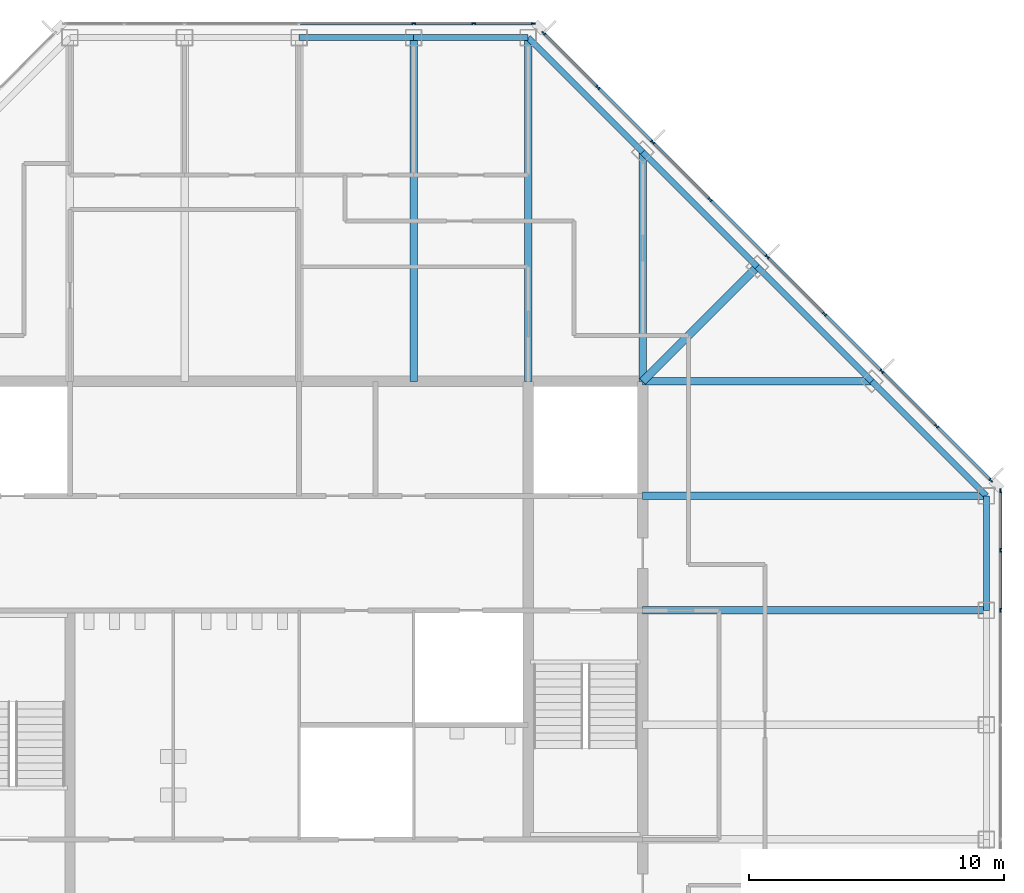
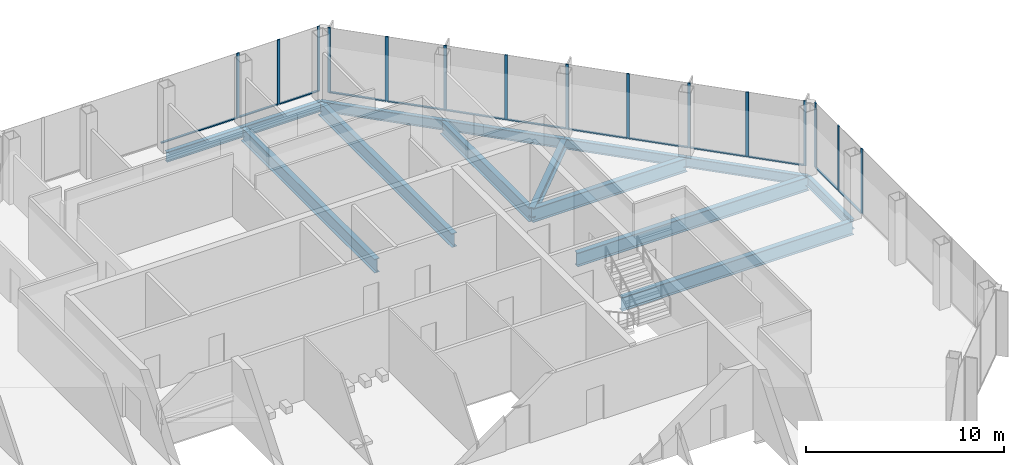
# One storey, part 7 of 14: 28 members, 14 beams, 3 elements without a shape of their own.
"""IFC4 building model written with IfcOpenShell, lengths in metres."""

from ifc_helpers import new_model, si_unit, direction, frame, origin, origin_2d, place, context, subcontext, project, spatial, rectangle, i_section, extrude, material, material_profile, profile_set, type_object, element, aggregate, save


model = new_model("IFC4")

# Units and contexts
model_context = context("Model", 3, precision=1e-05, world=origin(), true_north=direction((0.0, 1.0)))
body_context = subcontext(model_context, "Body", "Model", "MODEL_VIEW")
ifc_project = project(units=[si_unit("LENGTHUNIT", "METRE"), si_unit("AREAUNIT", "SQUARE_METRE"), si_unit("VOLUMEUNIT", "CUBIC_METRE"), si_unit("PLANEANGLEUNIT", "RADIAN"), si_unit("MASSUNIT", "GRAM", prefix="KILO")], contexts=[model_context])

# Site, building, storey
site_placement = place(None, origin())
site = spatial("IfcSite", under=ifc_project, at=site_placement, CompositionType="ELEMENT")
building_placement = place(site_placement, origin())
building = spatial("IfcBuilding", under=site, at=building_placement, Name="Corais Broadcast Tower", CompositionType="ELEMENT")
storey_placement = place(building_placement, frame((0.0, 0.0, 254.60009765625)))
storey = spatial("IfcBuildingStorey", under=building, at=storey_placement, Name="L59", CompositionType="ELEMENT", Elevation=254.60009765625)

# Beams
ifc_material_1 = material(Name="Steel ASTM A572 Grade 50", Category="steel")
ifc_material_profile_1 = material_profile(ifc_material_1, i_section(OverallWidth=0.323974609375, OverallDepth=0.611083984375, WebThickness=0.0126953125, FlangeThickness=0.01904296875, at=origin_2d()), Name="W610x155")
ifc_profile_set_1 = profile_set([ifc_material_profile_1], Name="Steel ASTM A572 Grade 50")
beam_type_1 = type_object("IfcBeamType", Name="Corner diagonal W610x155", PredefinedType="BEAM", material=ifc_profile_set_1)
beam_1_placement = place(storey_placement, frame((45.0, 45.0, -0.465576171875), z_axis=(-0.707106781187, -0.707106781187, 0.0), x_axis=(0.707106781187, -0.707106781187, 0.0)))
element("IfcBeam", 1, at=beam_1_placement, inside=storey, type_object=beam_type_1, Name="B6 L/13 to K/12", PredefinedType="BEAM", context=body_context, shape_type="SweptSolid", body=[
    extrude(i_section(OverallWidth=0.323974609375, OverallDepth=0.611083984375, WebThickness=0.0126953125, FlangeThickness=0.01904296875, at=origin_2d()), origin(), (0.0, 0.0, 1.0), 6.364013671875),
])
ifc_material_2 = material(Name="Steel ASTM A572 Grade 50", Category="steel")
ifc_material_profile_2 = material_profile(ifc_material_2, i_section(OverallWidth=0.2939453125, OverallDepth=0.85107421875, WebThickness=0.01611328125, FlangeThickness=0.02685546875, at=origin_2d()), Name="W840x226")
ifc_profile_set_2 = profile_set([ifc_material_profile_2], Name="Steel ASTM A572 Grade 50")
beam_type_2 = type_object("IfcBeamType", Name="Floor beam W840x226", PredefinedType="BEAM", material=ifc_profile_set_2)
for number, where, z_axis, x_axis, name in (
    (2, (31.5, 54.0, -0.585693359375), (0.0, -1.0, 0.0), (1.0, 0.0, 0.0), "B1 N/10 to K/10"),
    (3, (36.0, 54.0, -0.585693359375), (0.0, -1.0, 0.0), (1.0, 0.0, 0.0), "B1 N/11 to K/11"),
):
    element("IfcBeam", number, at=place(storey_placement, frame(where, z_axis=z_axis, x_axis=x_axis)), inside=storey, type_object=beam_type_2, Name=name, PredefinedType="BEAM", context=body_context, shape_type="SweptSolid", body=[
        extrude(i_section(OverallWidth=0.2939453125, OverallDepth=0.85107421875, WebThickness=0.01611328125, FlangeThickness=0.02685546875, at=origin_2d()), origin(), (0.0, 0.0, 1.0), 13.5),
    ])
for number, where, z_axis, x_axis, name in (
    (4, (40.5, 49.5, -0.585693359375), (0.0, -1.0, 0.0), (1.0, 0.0, 0.0), "B1 M/12 to K/12"),
    (5, (49.5, 40.5, -0.585693359375), (-1.0, 0.0, 0.0), (0.0, -1.0, 0.0), "B1 K/14 to K/12"),
):
    element("IfcBeam", number, at=place(storey_placement, frame(where, z_axis=z_axis, x_axis=x_axis)), inside=storey, type_object=beam_type_2, Name=name, PredefinedType="BEAM", context=body_context, shape_type="SweptSolid", body=[
        extrude(i_section(OverallWidth=0.2939453125, OverallDepth=0.85107421875, WebThickness=0.01611328125, FlangeThickness=0.02685546875, at=origin_2d()), origin(), (0.0, 0.0, 1.0), 9.0),
    ])
for number, where, z_axis, x_axis, name in (
    (6, (54.0, 31.5, -0.585693359375), (-1.0, 0.0, 0.0), (0.0, -1.0, 0.0), "B1 H/15 to H/12"),
    (7, (54.0, 36.0, -0.585693359375), (-1.0, 0.0, 0.0), (0.0, -1.0, 0.0), "B1 J/15 to J/12"),
):
    element("IfcBeam", number, at=place(storey_placement, frame(where, z_axis=z_axis, x_axis=x_axis)), inside=storey, type_object=beam_type_2, Name=name, PredefinedType="BEAM", context=body_context, shape_type="SweptSolid", body=[
        extrude(i_section(OverallWidth=0.2939453125, OverallDepth=0.85107421875, WebThickness=0.01611328125, FlangeThickness=0.02685546875, at=origin_2d()), origin(), (0.0, 0.0, 1.0), 13.5),
    ])

# Curtain wall, members
ifc_material_3 = material(Name="Aluminium and glass", Category="aluminium")
curtain_wall_type = type_object("IfcCurtainWallType", Name="Unitised fritted curtain wall CW3", PredefinedType="NOTDEFINED", material=ifc_material_3)
curtain_wall_1_placement = place(storey_placement, origin())
curtain_wall_1 = element("IfcCurtainWall", 8, at=curtain_wall_1_placement, inside=storey, type_object=curtain_wall_type, Name="CW3 curtain wall L59 4", PredefinedType="NOTDEFINED")
ifc_material_4 = material(Name="Aluminium 6063-T6", Category="aluminium")
ifc_material_profile_3 = material_profile(ifc_material_4, rectangle(XDim=0.06494140625, YDim=0.159912109375, at=origin_2d()), Name="Mullion CW3 65x160")
ifc_profile_set_3 = profile_set([ifc_material_profile_3], Name="Aluminium 6063-T6")
member_type_1 = type_object("IfcMemberType", Name="Mullion CW3 65x160", PredefinedType="MULLION", material=ifc_profile_set_3)
member_1_placement = place(storey_placement, frame((31.5, 54.550048828125, 0.0), z_axis=(0.0, 0.0, 1.0), x_axis=(0.0, 1.0, 0.0)))
member_1 = element("IfcMember", 9, at=member_1_placement, type_object=member_type_1, Name="CW3 mullion 5", PredefinedType="MULLION", context=body_context, shape_type="SweptSolid", body=[
    extrude(rectangle(XDim=0.06494140625, YDim=0.159912109375, at=origin_2d()), origin(), (0.0, 0.0, 1.0), 4.0),
])
member_2_placement = place(storey_placement, frame((33.864013671875, 54.550048828125, 0.0), z_axis=(0.0, 0.0, 1.0), x_axis=(0.0, 1.0, 0.0)))
member_2 = element("IfcMember", 10, at=member_2_placement, type_object=member_type_1, Name="CW3 mullion 6", PredefinedType="MULLION", context=body_context, shape_type="SweptSolid", body=[
    extrude(rectangle(XDim=0.06494140625, YDim=0.159912109375, at=origin_2d()), origin(), (0.0, 0.0, 1.0), 4.0),
])
member_3_placement = place(storey_placement, frame((36.1953125, 54.550048828125, 0.0), z_axis=(0.0, 0.0, 1.0), x_axis=(0.0, 1.0, 0.0)))
member_3 = element("IfcMember", 11, at=member_3_placement, type_object=member_type_1, Name="CW3 mullion 7", PredefinedType="MULLION", context=body_context, shape_type="SweptSolid", body=[
    extrude(rectangle(XDim=0.06494140625, YDim=0.159912109375, at=origin_2d()), origin(), (0.0, 0.0, 1.0), 4.0),
])

curtain_wall_2_placement = place(storey_placement, origin())
curtain_wall_2 = element("IfcCurtainWall", 12, at=curtain_wall_2_placement, inside=storey, type_object=curtain_wall_type, Name="CW3 curtain wall L59 5", PredefinedType="NOTDEFINED")
member_4_placement = place(storey_placement, frame((36.6044921875, 54.17333984375, 0.0), z_axis=(0.0, 0.0, 1.0), x_axis=(0.707106781187, 0.707106781187, 0.0)))
member_4 = element("IfcMember", 13, at=member_4_placement, type_object=member_type_1, Name="CW3 mullion 1", PredefinedType="MULLION", context=body_context, shape_type="SweptSolid", body=[
    extrude(rectangle(XDim=0.06494140625, YDim=0.159912109375, at=origin_2d()), origin(), (0.0, 0.0, 1.0), 4.0),
])
member_5_placement = place(storey_placement, frame((38.735107421875, 52.042724609375, 0.0), z_axis=(0.0, 0.0, 1.0), x_axis=(0.707106781187, 0.707106781187, 0.0)))
member_5 = element("IfcMember", 14, at=member_5_placement, type_object=member_type_1, Name="CW3 mullion 2", PredefinedType="MULLION", context=body_context, shape_type="SweptSolid", body=[
    extrude(rectangle(XDim=0.06494140625, YDim=0.159912109375, at=origin_2d()), origin(), (0.0, 0.0, 1.0), 4.0),
])
member_6_placement = place(storey_placement, frame((40.888916015625, 49.888916015625, 0.0), z_axis=(0.0, 0.0, 1.0), x_axis=(0.707106781187, 0.707106781187, 0.0)))
member_6 = element("IfcMember", 15, at=member_6_placement, type_object=member_type_1, Name="CW3 mullion 3", PredefinedType="MULLION", context=body_context, shape_type="SweptSolid", body=[
    extrude(rectangle(XDim=0.06494140625, YDim=0.159912109375, at=origin_2d()), origin(), (0.0, 0.0, 1.0), 4.0),
])
member_7_placement = place(storey_placement, frame((43.138916015625, 47.638916015625, 0.0), z_axis=(0.0, 0.0, 1.0), x_axis=(0.707106781187, 0.707106781187, 0.0)))
member_7 = element("IfcMember", 16, at=member_7_placement, type_object=member_type_1, Name="CW3 mullion 4", PredefinedType="MULLION", context=body_context, shape_type="SweptSolid", body=[
    extrude(rectangle(XDim=0.06494140625, YDim=0.159912109375, at=origin_2d()), origin(), (0.0, 0.0, 1.0), 4.0),
])
member_8_placement = place(storey_placement, frame((45.388916015625, 45.388916015625, 0.0), z_axis=(0.0, 0.0, 1.0), x_axis=(0.707106781187, 0.707106781187, 0.0)))
member_8 = element("IfcMember", 17, at=member_8_placement, type_object=member_type_1, Name="CW3 mullion 5", PredefinedType="MULLION", context=body_context, shape_type="SweptSolid", body=[
    extrude(rectangle(XDim=0.06494140625, YDim=0.159912109375, at=origin_2d()), origin(), (0.0, 0.0, 1.0), 4.0),
])
member_9_placement = place(storey_placement, frame((47.638916015625, 43.138916015625, 0.0), z_axis=(0.0, 0.0, 1.0), x_axis=(0.707106781187, 0.707106781187, 0.0)))
member_9 = element("IfcMember", 18, at=member_9_placement, type_object=member_type_1, Name="CW3 mullion 6", PredefinedType="MULLION", context=body_context, shape_type="SweptSolid", body=[
    extrude(rectangle(XDim=0.06494140625, YDim=0.159912109375, at=origin_2d()), origin(), (0.0, 0.0, 1.0), 4.0),
])
member_10_placement = place(storey_placement, frame((49.888916015625, 40.888916015625, 0.0), z_axis=(0.0, 0.0, 1.0), x_axis=(0.707106781187, 0.707106781187, 0.0)))
member_10 = element("IfcMember", 19, at=member_10_placement, type_object=member_type_1, Name="CW3 mullion 7", PredefinedType="MULLION", context=body_context, shape_type="SweptSolid", body=[
    extrude(rectangle(XDim=0.06494140625, YDim=0.159912109375, at=origin_2d()), origin(), (0.0, 0.0, 1.0), 4.0),
])
member_11_placement = place(storey_placement, frame((52.042724609375, 38.735107421875, 0.0), z_axis=(0.0, 0.0, 1.0), x_axis=(0.707106781187, 0.707106781187, 0.0)))
member_11 = element("IfcMember", 20, at=member_11_placement, type_object=member_type_1, Name="CW3 mullion 8", PredefinedType="MULLION", context=body_context, shape_type="SweptSolid", body=[
    extrude(rectangle(XDim=0.06494140625, YDim=0.159912109375, at=origin_2d()), origin(), (0.0, 0.0, 1.0), 4.0),
])
member_12_placement = place(storey_placement, frame((54.17333984375, 36.6044921875, 0.0), z_axis=(0.0, 0.0, 1.0), x_axis=(0.707106781187, 0.707106781187, 0.0)))
member_12 = element("IfcMember", 21, at=member_12_placement, type_object=member_type_1, Name="CW3 mullion 9", PredefinedType="MULLION", context=body_context, shape_type="SweptSolid", body=[
    extrude(rectangle(XDim=0.06494140625, YDim=0.159912109375, at=origin_2d()), origin(), (0.0, 0.0, 1.0), 4.0),
])

curtain_wall_3_placement = place(storey_placement, origin())
curtain_wall_3 = element("IfcCurtainWall", 22, at=curtain_wall_3_placement, inside=storey, type_object=curtain_wall_type, Name="CW3 curtain wall L59 6", PredefinedType="NOTDEFINED")
member_13_placement = place(storey_placement, frame((54.550048828125, 36.1953125, 0.0), z_axis=(0.0, 0.0, 1.0), x_axis=(1.0, 0.0, 0.0)))
member_13 = element("IfcMember", 23, at=member_13_placement, type_object=member_type_1, Name="CW3 mullion 1", PredefinedType="MULLION", context=body_context, shape_type="SweptSolid", body=[
    extrude(rectangle(XDim=0.06494140625, YDim=0.159912109375, at=origin_2d()), origin(), (0.0, 0.0, 1.0), 4.0),
])
member_14_placement = place(storey_placement, frame((54.550048828125, 33.864013671875, 0.0), z_axis=(0.0, 0.0, 1.0), x_axis=(1.0, 0.0, 0.0)))
member_14 = element("IfcMember", 24, at=member_14_placement, type_object=member_type_1, Name="CW3 mullion 2", PredefinedType="MULLION", context=body_context, shape_type="SweptSolid", body=[
    extrude(rectangle(XDim=0.06494140625, YDim=0.159912109375, at=origin_2d()), origin(), (0.0, 0.0, 1.0), 4.0),
])
member_15_placement = place(storey_placement, frame((54.550048828125, 31.5, 0.0), z_axis=(0.0, 0.0, 1.0), x_axis=(1.0, 0.0, 0.0)))
member_15 = element("IfcMember", 25, at=member_15_placement, type_object=member_type_1, Name="CW3 mullion 3", PredefinedType="MULLION", context=body_context, shape_type="SweptSolid", body=[
    extrude(rectangle(XDim=0.06494140625, YDim=0.159912109375, at=origin_2d()), origin(), (0.0, 0.0, 1.0), 4.0),
])

# Beams
ifc_material_5 = material(Name="Steel ASTM A572 Grade 50", Category="steel")
ifc_material_profile_4 = material_profile(ifc_material_5, i_section(OverallWidth=0.22998046875, OverallDepth=0.616943359375, WebThickness=0.01318359375, FlangeThickness=0.022216796875, at=origin_2d()), Name="W610x140")
ifc_profile_set_4 = profile_set([ifc_material_profile_4], Name="Steel ASTM A572 Grade 50")
beam_type_3 = type_object("IfcBeamType", Name="Spandrel W610x140", PredefinedType="BEAM", material=ifc_profile_set_4)
for number, where, z_axis, x_axis, name in (
    (26, (31.5, 54.0, -0.468505859375), (-1.0, 0.0, 0.0), (0.0, -1.0, 0.0), "SB3 N/10 to N/9"),
    (27, (36.0, 54.0, -0.468505859375), (-1.0, 0.0, 0.0), (0.0, -1.0, 0.0), "SB3 N/11 to N/10"),
):
    element("IfcBeam", number, at=place(storey_placement, frame(where, z_axis=z_axis, x_axis=x_axis)), inside=storey, type_object=beam_type_3, Name=name, PredefinedType="BEAM", context=body_context, shape_type="SweptSolid", body=[
        extrude(i_section(OverallWidth=0.22998046875, OverallDepth=0.616943359375, WebThickness=0.01318359375, FlangeThickness=0.022216796875, at=origin_2d()), origin(), (0.0, 0.0, 1.0), 4.5),
    ])
for number, where, z_axis, x_axis, name in (
    (28, (40.5, 49.5, -0.468505859375), (-0.707106781187, 0.707106781187, 0.0), (-0.707106781187, -0.707106781187, 0.0), "SB3 M/12 to N/11"),
    (29, (45.0, 45.0, -0.468505859375), (-0.707106781187, 0.707106781187, 0.0), (-0.707106781187, -0.707106781187, 0.0), "SB3 L/13 to M/12"),
    (30, (49.5, 40.5, -0.468505859375), (-0.707106781187, 0.707106781187, 0.0), (-0.707106781187, -0.707106781187, 0.0), "SB3 K/14 to L/13"),
):
    element("IfcBeam", number, at=place(storey_placement, frame(where, z_axis=z_axis, x_axis=x_axis)), inside=storey, type_object=beam_type_3, Name=name, PredefinedType="BEAM", context=body_context, shape_type="SweptSolid", body=[
        extrude(i_section(OverallWidth=0.22998046875, OverallDepth=0.616943359375, WebThickness=0.01318359375, FlangeThickness=0.022216796875, at=origin_2d()), origin(), (0.0, 0.0, 1.0), 6.364013671875),
    ])
beam_2_placement = place(storey_placement, frame((54.0, 31.5, -0.468505859375), z_axis=(0.0, 1.0, 0.0), x_axis=(-1.0, 0.0, 0.0)))
element("IfcBeam", 31, at=beam_2_placement, inside=storey, type_object=beam_type_3, Name="SB3 H/15 to J/15", PredefinedType="BEAM", context=body_context, shape_type="SweptSolid", body=[
    extrude(i_section(OverallWidth=0.22998046875, OverallDepth=0.616943359375, WebThickness=0.01318359375, FlangeThickness=0.022216796875, at=origin_2d()), origin(), (0.0, 0.0, 1.0), 4.5),
])
beam_3_placement = place(storey_placement, frame((54.0, 36.0, -0.468505859375), z_axis=(-0.707106781187, 0.707106781187, 0.0), x_axis=(-0.707106781187, -0.707106781187, 0.0)))
element("IfcBeam", 32, at=beam_3_placement, inside=storey, type_object=beam_type_3, Name="SB3 J/15 to K/14", PredefinedType="BEAM", context=body_context, shape_type="SweptSolid", body=[
    extrude(i_section(OverallWidth=0.22998046875, OverallDepth=0.616943359375, WebThickness=0.01318359375, FlangeThickness=0.022216796875, at=origin_2d()), origin(), (0.0, 0.0, 1.0), 6.364013671875),
])

# Member
ifc_material_6 = material(Name="Aluminium 6063-T6", Category="aluminium")
ifc_material_profile_5 = material_profile(ifc_material_6, rectangle(XDim=0.1201171875, YDim=0.06494140625, at=origin_2d()), Name="Transom CW3 65x120")
ifc_profile_set_5 = profile_set([ifc_material_profile_5], Name="Aluminium 6063-T6")
member_type_2 = type_object("IfcMemberType", Name="Transom CW3 65x120", PredefinedType="USERDEFINED", material=ifc_profile_set_5)
member_16_placement = place(storey_placement, frame((27.032470703125, 54.550048828125, 0.032470703125), z_axis=(1.0, 0.0, 0.0), x_axis=(0.0, 1.0, 0.0)))
member_16 = element("IfcMember", 33, at=member_16_placement, type_object=member_type_2, Name="CW3 transom 4.1", ObjectType="TRANSOM", PredefinedType="USERDEFINED", context=body_context, shape_type="SweptSolid", body=[
    extrude(rectangle(XDim=0.1201171875, YDim=0.06494140625, at=origin_2d()), origin(), (0.0, 0.0, 1.0), 4.43505859375),
])

member_17_placement = place(storey_placement, frame((31.532470703125, 54.550048828125, 0.032470703125), z_axis=(1.0, 0.0, 0.0), x_axis=(0.0, 1.0, 0.0)))
member_17 = element("IfcMember", 34, at=member_17_placement, type_object=member_type_2, Name="CW3 transom 5.1", ObjectType="TRANSOM", PredefinedType="USERDEFINED", context=body_context, shape_type="SweptSolid", body=[
    extrude(rectangle(XDim=0.1201171875, YDim=0.06494140625, at=origin_2d()), origin(), (0.0, 0.0, 1.0), 2.298828125),
])

member_18_placement = place(storey_placement, frame((33.896484375, 54.550048828125, 0.032470703125), z_axis=(1.0, 0.0, 0.0), x_axis=(0.0, 1.0, 0.0)))
member_18 = element("IfcMember", 35, at=member_18_placement, type_object=member_type_2, Name="CW3 transom 6.1", ObjectType="TRANSOM", PredefinedType="USERDEFINED", context=body_context, shape_type="SweptSolid", body=[
    extrude(rectangle(XDim=0.1201171875, YDim=0.06494140625, at=origin_2d()), origin(), (0.0, 0.0, 1.0), 2.266357421875),
])

aggregate(curtain_wall_1, [member_1, member_2, member_3, member_16, member_17, member_18])

member_19_placement = place(storey_placement, frame((36.62744140625, 54.150390625, 0.032470703125), z_axis=(0.707106781187, -0.707106781187, 0.0), x_axis=(0.707106781187, 0.707106781187, 0.0)))
member_19 = element("IfcMember", 36, at=member_19_placement, type_object=member_type_2, Name="CW3 transom 1.1", ObjectType="TRANSOM", PredefinedType="USERDEFINED", context=body_context, shape_type="SweptSolid", body=[
    extrude(rectangle(XDim=0.1201171875, YDim=0.06494140625, at=origin_2d()), origin(), (0.0, 0.0, 1.0), 2.9482421875),
])

member_20_placement = place(storey_placement, frame((38.758056640625, 52.019775390625, 0.032470703125), z_axis=(0.707106781187, -0.707106781187, 0.0), x_axis=(0.707106781187, 0.707106781187, 0.0)))
member_20 = element("IfcMember", 37, at=member_20_placement, type_object=member_type_2, Name="CW3 transom 2.1", ObjectType="TRANSOM", PredefinedType="USERDEFINED", context=body_context, shape_type="SweptSolid", body=[
    extrude(rectangle(XDim=0.1201171875, YDim=0.06494140625, at=origin_2d()), origin(), (0.0, 0.0, 1.0), 2.98095703125),
])

member_21_placement = place(storey_placement, frame((40.911865234375, 49.865966796875, 0.032470703125), z_axis=(0.707106781187, -0.707106781187, 0.0), x_axis=(0.707106781187, 0.707106781187, 0.0)))
member_21 = element("IfcMember", 38, at=member_21_placement, type_object=member_type_2, Name="CW3 transom 3.1", ObjectType="TRANSOM", PredefinedType="USERDEFINED", context=body_context, shape_type="SweptSolid", body=[
    extrude(rectangle(XDim=0.1201171875, YDim=0.06494140625, at=origin_2d()), origin(), (0.0, 0.0, 1.0), 3.1171875),
])

member_22_placement = place(storey_placement, frame((43.161865234375, 47.615966796875, 0.032470703125), z_axis=(0.707106781187, -0.707106781187, 0.0), x_axis=(0.707106781187, 0.707106781187, 0.0)))
member_22 = element("IfcMember", 39, at=member_22_placement, type_object=member_type_2, Name="CW3 transom 4.1", ObjectType="TRANSOM", PredefinedType="USERDEFINED", context=body_context, shape_type="SweptSolid", body=[
    extrude(rectangle(XDim=0.1201171875, YDim=0.06494140625, at=origin_2d()), origin(), (0.0, 0.0, 1.0), 3.1171875),
])

member_23_placement = place(storey_placement, frame((45.411865234375, 45.365966796875, 0.032470703125), z_axis=(0.707106781187, -0.707106781187, 0.0), x_axis=(0.707106781187, 0.707106781187, 0.0)))
member_23 = element("IfcMember", 40, at=member_23_placement, type_object=member_type_2, Name="CW3 transom 5.1", ObjectType="TRANSOM", PredefinedType="USERDEFINED", context=body_context, shape_type="SweptSolid", body=[
    extrude(rectangle(XDim=0.1201171875, YDim=0.06494140625, at=origin_2d()), origin(), (0.0, 0.0, 1.0), 3.1171875),
])

member_24_placement = place(storey_placement, frame((47.661865234375, 43.115966796875, 0.032470703125), z_axis=(0.707106781187, -0.707106781187, 0.0), x_axis=(0.707106781187, 0.707106781187, 0.0)))
member_24 = element("IfcMember", 41, at=member_24_placement, type_object=member_type_2, Name="CW3 transom 6.1", ObjectType="TRANSOM", PredefinedType="USERDEFINED", context=body_context, shape_type="SweptSolid", body=[
    extrude(rectangle(XDim=0.1201171875, YDim=0.06494140625, at=origin_2d()), origin(), (0.0, 0.0, 1.0), 3.1171875),
])

member_25_placement = place(storey_placement, frame((49.911865234375, 40.865966796875, 0.032470703125), z_axis=(0.707065828661, -0.70714773134, 0.0), x_axis=(0.70714773134, 0.707065828661, 0.0)))
member_25 = element("IfcMember", 42, at=member_25_placement, type_object=member_type_2, Name="CW3 transom 7.1", ObjectType="TRANSOM", PredefinedType="USERDEFINED", context=body_context, shape_type="SweptSolid", body=[
    extrude(rectangle(XDim=0.1201171875, YDim=0.06494140625, at=origin_2d()), origin(), (0.0, 0.0, 1.0), 2.98095703125),
])

member_26_placement = place(storey_placement, frame((52.065673828125, 38.712158203125, 0.032470703125), z_axis=(0.707106781187, -0.707106781187, 0.0), x_axis=(0.707106781187, 0.707106781187, 0.0)))
member_26 = element("IfcMember", 43, at=member_26_placement, type_object=member_type_2, Name="CW3 transom 8.1", ObjectType="TRANSOM", PredefinedType="USERDEFINED", context=body_context, shape_type="SweptSolid", body=[
    extrude(rectangle(XDim=0.1201171875, YDim=0.06494140625, at=origin_2d()), origin(), (0.0, 0.0, 1.0), 2.9482421875),
])

aggregate(curtain_wall_2, [member_4, member_5, member_6, member_7, member_8, member_9, member_10, member_11, member_12, member_19, member_20, member_21, member_22, member_23, member_24, member_25, member_26])

member_27_placement = place(storey_placement, frame((54.550048828125, 36.162841796875, 0.032470703125), z_axis=(0.0, -1.0, 0.0), x_axis=(1.0, 0.0, 0.0)))
member_27 = element("IfcMember", 44, at=member_27_placement, type_object=member_type_2, Name="CW3 transom 1.1", ObjectType="TRANSOM", PredefinedType="USERDEFINED", context=body_context, shape_type="SweptSolid", body=[
    extrude(rectangle(XDim=0.1201171875, YDim=0.06494140625, at=origin_2d()), origin(), (0.0, 0.0, 1.0), 2.266357421875),
])

member_28_placement = place(storey_placement, frame((54.550048828125, 33.831298828125, 0.032470703125), z_axis=(0.0, -1.0, 0.0), x_axis=(1.0, 0.0, 0.0)))
member_28 = element("IfcMember", 45, at=member_28_placement, type_object=member_type_2, Name="CW3 transom 2.1", ObjectType="TRANSOM", PredefinedType="USERDEFINED", context=body_context, shape_type="SweptSolid", body=[
    extrude(rectangle(XDim=0.1201171875, YDim=0.06494140625, at=origin_2d()), origin(), (0.0, 0.0, 1.0), 2.298828125),
])

aggregate(curtain_wall_3, [member_13, member_14, member_15, member_27, member_28])

save(model, "model.ifc")
